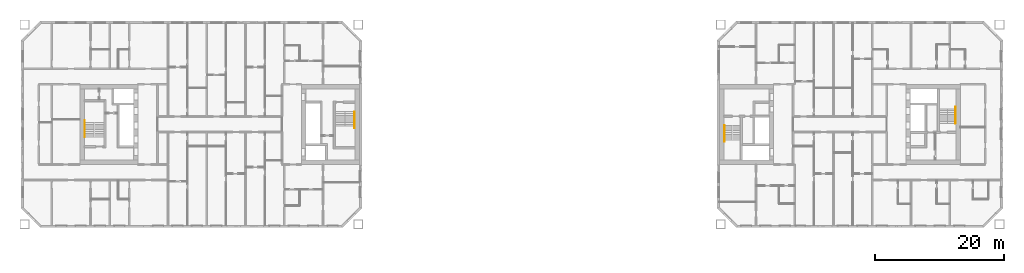
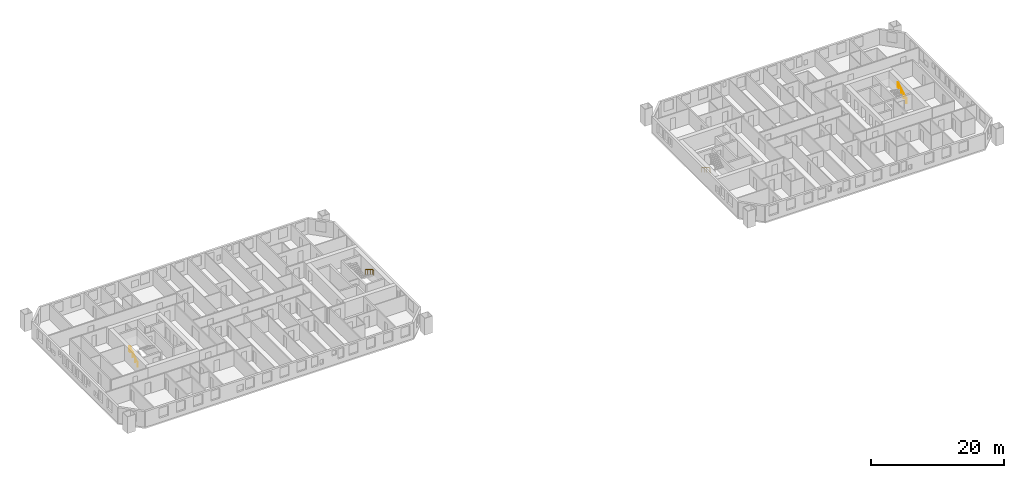
# One storey, part 17 of 17: 4 railings.
"""IFC4 building model written with IfcOpenShell, lengths in metres."""

import ifcopenshell
import ifcopenshell.guid

model = None  # the IFC model being written
_history = None  # IfcOwnerHistory: only IFC2X3 demands one
_inside = {}  # id of a spatial element -> (the spatial element, [elements in it])
_under = {}  # id of a project, library or spatial element -> (it, [spatial elements below it])
_declared = {}  # id of a project -> (the project, [libraries it declares])
_typed = {}  # id of a type object -> (the type object, [elements of that type])
_made_of = {}  # id of a material, layer set ... -> (it, [elements and type objects made of it])


def new_model(schema):
    """Start an empty IFC model of exactly this schema.

    Asked for "IFC4X3", IfcOpenShell would pick the latest addendum, in which some entities
    have other attributes; the version numbers below select the first issue.
    IFC2X3 requires an IfcOwnerHistory on every rooted entity: one is made here for all.
    """
    global model, _history
    if schema == "IFC4X3":
        model = ifcopenshell.file(schema_version=(4, 3, 0, 0))
    else:
        model = ifcopenshell.file(schema=schema)
    _inside.clear()
    _under.clear()
    _declared.clear()
    _typed.clear()
    _made_of.clear()
    _history = None
    if model.schema == "IFC2X3":
        org = make("IfcOrganization", Name="unknown")
        user = make(
            "IfcPersonAndOrganization",
            ThePerson=make("IfcPerson", FamilyName="unknown"),
            TheOrganization=org,
        )
        app = make(
            "IfcApplication",
            ApplicationDeveloper=org,
            Version="unknown",
            ApplicationFullName="unknown",
            ApplicationIdentifier="unknown",
        )
        _history = make(
            "IfcOwnerHistory",
            OwningUser=user,
            OwningApplication=app,
            ChangeAction="ADDED",
            CreationDate=0,
        )
    return model


def make(cls, **values):
    """One entity of the class cls with the attributes given. An attribute that is None is left unset."""
    return model.create_entity(
        cls, **{name: value for name, value in values.items() if value is not None}
    )


def rooted(cls, **values):
    """An entity with a GlobalId (a new one), such as an element, a storey or a relation."""
    return make(cls, GlobalId=ifcopenshell.guid.new(), OwnerHistory=_history, **values)


def si_unit(unit_type, name, prefix=None):
    """IfcSIUnit, for example si_unit("LENGTHUNIT", "METRE", prefix="MILLI")."""
    return make("IfcSIUnit", UnitType=unit_type, Prefix=prefix, Name=name)


def assignment(units):
    """IfcUnitAssignment: the units of a project."""
    return None if units is None else make("IfcUnitAssignment", Units=units)


def point(xyz):
    """IfcCartesianPoint."""
    return None if xyz is None else make("IfcCartesianPoint", Coordinates=xyz)


def direction(xyz):
    """IfcDirection."""
    return None if xyz is None else make("IfcDirection", DirectionRatios=xyz)


def frame(location, z_axis=None, x_axis=None):
    """IfcAxis2Placement3D, a coordinate frame: its origin and axes. An axis left out is left unset."""
    return make(
        "IfcAxis2Placement3D",
        Location=point(location),
        Axis=direction(z_axis),
        RefDirection=direction(x_axis),
    )


def frame_2d(location, x_axis=None):
    """IfcAxis2Placement2D, a coordinate frame in the plane: its origin and x axis."""
    return make(
        "IfcAxis2Placement2D", Location=point(location), RefDirection=direction(x_axis)
    )


def origin():
    """The frame at (0, 0, 0) with its axes left unset."""
    return frame((0.0, 0.0, 0.0))


def origin_2d():
    """The frame at (0, 0) in the plane with its x axis left unset."""
    return frame_2d((0.0, 0.0))


def place(relative_to, where):
    """IfcLocalPlacement: puts the frame where relative to a parent placement (None: the world)."""
    return make(
        "IfcLocalPlacement", PlacementRelTo=relative_to, RelativePlacement=where
    )


def context(
    kind, dimensions, precision=None, world=None, true_north=None, identifier=None
):
    """IfcGeometricRepresentationContext, for example the 3D "Model" context."""
    return make(
        "IfcGeometricRepresentationContext",
        ContextIdentifier=identifier,
        ContextType=kind,
        CoordinateSpaceDimension=dimensions,
        Precision=precision,
        WorldCoordinateSystem=world,
        TrueNorth=true_north,
    )


def subcontext(parent, identifier, kind, view, scale=None):
    """IfcGeometricRepresentationSubContext, for example "Body" below "Model"."""
    return make(
        "IfcGeometricRepresentationSubContext",
        ContextIdentifier=identifier,
        ContextType=kind,
        ParentContext=parent,
        TargetScale=scale,
        TargetView=view,
    )


def project(units=None, contexts=None):
    """IfcProject with its units and contexts."""
    return rooted(
        "IfcProject",
        Name="project",
        RepresentationContexts=contexts,
        UnitsInContext=assignment(units),
    )


def spatial(cls, under=None, at=None, **own):
    """A site, building, storey or space (cls), placed at a placement, below another one or the project."""
    s = rooted(cls, ObjectPlacement=at, **own)
    if under is not None:
        _under.setdefault(under.id(), (under, []))[1].append(s)
    return s


def profile(cls, at=None, kind="AREA", **sizes):
    """A parametric profile (cls). Its sizes go by their IFC names, for example OverallWidth=200.0."""
    return make(cls, ProfileType=kind, Position=at, **sizes)


def circle(**sizes):
    """IfcCircleProfileDef."""
    return profile("IfcCircleProfileDef", **sizes)


def extrude(swept, where, along, depth):
    """IfcExtrudedAreaSolid: the profile swept, set in the frame where, extruded along a direction by depth."""
    return make(
        "IfcExtrudedAreaSolid",
        SweptArea=swept,
        Position=where,
        ExtrudedDirection=direction(along),
        Depth=depth,
    )


def shape(context_of_items, identifier, shape_type, items):
    """IfcShapeRepresentation: the items that make up one representation, for example the "Body"."""
    return make(
        "IfcShapeRepresentation",
        ContextOfItems=context_of_items,
        RepresentationIdentifier=identifier,
        RepresentationType=shape_type,
        Items=items,
    )


def material(Name=None, Category=None):
    """IfcMaterial."""
    return make("IfcMaterial", Name=Name, Category=Category)


def made_of(thing, what):
    """Note that an element or type object is made of a material, layer set ...; save() writes the relation."""
    if what is not None:
        _made_of.setdefault(what.id(), (what, []))[1].append(thing)
    return thing


def type_object(cls, material=None, **own):
    """A type object (cls), such as IfcWallType, which elements share."""
    return made_of(rooted(cls, **own), material)


def element(
    cls,
    number,
    at=None,
    inside=None,
    cuts=None,
    type_object=None,
    material=None,
    context=None,
    identifier="Body",
    shape_type=None,
    held_by="IfcProductDefinitionShape",
    body=None,
    shapes=None,
    **own,
):
    """One element of the class cls, such as IfcWall. Its Tag is "e" and its number.

    at: its placement. inside: the storey or other place that contains it. cuts: it is an
    opening in that element (IfcRelVoidsElement). A single representation is given by context,
    identifier, shape_type and body (its items); several are given by shapes. held_by: the class
    of the entity that holds the representations. save() writes the other relations.
    """
    e = rooted(cls, Tag="e%d" % number, ObjectPlacement=at, **own)
    if body is not None:
        shapes = [shape(context, identifier, shape_type, body)]
    if shapes is not None:
        e.Representation = make(held_by, Representations=shapes)
    if inside is not None:
        _inside.setdefault(inside.id(), (inside, []))[1].append(e)
    if cuts is not None:
        rooted(
            "IfcRelVoidsElement", RelatingBuildingElement=cuts, RelatedOpeningElement=e
        )
    if type_object is not None:
        _typed.setdefault(type_object.id(), (type_object, []))[1].append(e)
    return made_of(e, material)


def aggregate(whole, parts):
    """IfcRelAggregates: a whole, such as a stair, and the parts it consists of."""
    return rooted("IfcRelAggregates", RelatingObject=whole, RelatedObjects=parts)


def save(model, path):
    """Write the relations noted so far, then the file.

    IfcRelAggregates (storeys below a building ...), IfcRelContainedInSpatialStructure (elements
    in a storey), IfcRelDefinesByType, IfcRelAssociatesMaterial and IfcRelDeclares: one each for
    every whole, place, type object, material and project.
    """
    for whole, parts in _under.values():
        aggregate(whole, parts)
    for where, things in _inside.values():
        rooted(
            "IfcRelContainedInSpatialStructure",
            RelatedElements=things,
            RelatingStructure=where,
        )
    for kind, things in _typed.values():
        rooted("IfcRelDefinesByType", RelatedObjects=things, RelatingType=kind)
    for what, things in _made_of.values():
        rooted("IfcRelAssociatesMaterial", RelatedObjects=things, RelatingMaterial=what)
    for by, libraries in _declared.values():
        rooted("IfcRelDeclares", RelatingContext=by, RelatedDefinitions=libraries)
    model.write(path)


model = new_model("IFC4")

# Units and contexts
model_context = context("Model", 3, precision=1e-05, world=origin(), true_north=direction((0.0, 1.0)))
body_context = subcontext(model_context, "Body", "Model", "MODEL_VIEW")
ifc_project = project(units=[si_unit("LENGTHUNIT", "METRE"), si_unit("AREAUNIT", "SQUARE_METRE"), si_unit("VOLUMEUNIT", "CUBIC_METRE"), si_unit("PLANEANGLEUNIT", "RADIAN"), si_unit("MASSUNIT", "GRAM", prefix="KILO")], contexts=[model_context])

# Site, building, storey
site_placement = place(None, origin())
site = spatial("IfcSite", under=ifc_project, at=site_placement, CompositionType="ELEMENT")
building_placement = place(site_placement, origin())
building = spatial("IfcBuilding", under=site, at=building_placement, Name="Tuart Gate Housing", CompositionType="ELEMENT")
storey_placement = place(building_placement, frame((0.0, 0.0, 80.89990234375)))
storey = spatial("IfcBuildingStorey", under=building, at=storey_placement, Name="L22", CompositionType="ELEMENT", Elevation=80.89990234375)

# Railings
ifc_material = material(Name="Stainless steel", Category="steel")
railing_type = type_object("IfcRailingType", Name="Stair handrail 900", PredefinedType="HANDRAIL", material=ifc_material)
railing_1_placement = place(storey_placement, frame((74.8798828125, 71.949951171875, 0.17236328125)))
element("IfcRailing", 1, at=railing_1_placement, inside=storey, type_object=railing_type, Name="Stair handrail SA1.1", PredefinedType="HANDRAIL", context=body_context, shape_type="SweptSolid", body=[
    extrude(circle(Radius=0.02392578125, at=origin_2d()), frame((0.0, 0.0, 0.8759765625), z_axis=(0.0, -0.85178898068, 0.523885037382), x_axis=(1.0, 0.0, 0.0)), (0.0, 0.0, 1.0), 2.629638671875),
    extrude(circle(Radius=0.02392578125, at=origin_2d()), frame((0.0, -2.239990234375, 2.25341796875), z_axis=(0.0, -1.0, 0.0), x_axis=(1.0, 0.0, 0.0)), (0.0, 0.0, 1.0), 0.300048828125),
    extrude(circle(Radius=0.02099609375, at=origin_2d()), origin(), (0.0, 0.0, 1.0), 0.851806640625),
    extrude(circle(Radius=0.02099609375, at=origin_2d()), frame((0.0, -0.74658203125, 0.459228515625)), (0.0, 0.0, 1.0), 0.851806640625),
    extrude(circle(Radius=0.02099609375, at=origin_2d()), frame((0.0, -1.493408203125, 0.91845703125)), (0.0, 0.0, 1.0), 0.851806640625),
    extrude(circle(Radius=0.02099609375, at=origin_2d()), frame((0.0, -2.239990234375, 1.377685546875)), (0.0, 0.0, 1.0), 0.851806640625),
    extrude(circle(Radius=0.02099609375, at=origin_2d()), frame((0.0, -2.5400390625, 1.377685546875)), (0.0, 0.0, 1.0), 0.851806640625),
])
railing_2_placement = place(storey_placement, frame((33.1201171875, 68.050048828125, 0.17236328125)))
element("IfcRailing", 2, at=railing_2_placement, inside=storey, type_object=railing_type, Name="Stair handrail SA2.1", PredefinedType="HANDRAIL", context=body_context, shape_type="SweptSolid", body=[
    extrude(circle(Radius=0.02392578125, at=origin_2d()), frame((0.0, 0.0, 0.8759765625), z_axis=(0.0, 0.85178898068, 0.523885037382), x_axis=(-1.0, 0.0, 0.0)), (0.0, 0.0, 1.0), 2.629638671875),
    extrude(circle(Radius=0.02392578125, at=origin_2d()), frame((0.0, 2.239990234375, 2.25341796875), z_axis=(0.0, 1.0, 0.0), x_axis=(-1.0, 0.0, 0.0)), (0.0, 0.0, 1.0), 0.300048828125),
    extrude(circle(Radius=0.02099609375, at=origin_2d()), origin(), (0.0, 0.0, 1.0), 0.851806640625),
    extrude(circle(Radius=0.02099609375, at=origin_2d()), frame((0.0, 0.74658203125, 0.459228515625)), (0.0, 0.0, 1.0), 0.851806640625),
    extrude(circle(Radius=0.02099609375, at=origin_2d()), frame((0.0, 1.493408203125, 0.91845703125)), (0.0, 0.0, 1.0), 0.851806640625),
    extrude(circle(Radius=0.02099609375, at=origin_2d()), frame((0.0, 2.239990234375, 1.377685546875)), (0.0, 0.0, 1.0), 0.851806640625),
    extrude(circle(Radius=0.02099609375, at=origin_2d()), frame((0.0, 2.5400390625, 1.377685546875)), (0.0, 0.0, 1.0), 0.851806640625),
])
railing_3_placement = place(storey_placement, frame((132.1201171875, 69.85009765625, 0.17236328125)))
element("IfcRailing", 3, at=railing_3_placement, inside=storey, type_object=railing_type, Name="Stair handrail SB1.1", PredefinedType="HANDRAIL", context=body_context, shape_type="SweptSolid", body=[
    extrude(circle(Radius=0.02392578125, at=origin_2d()), frame((0.0, 0.0, 0.8759765625), z_axis=(0.0, -0.85178898068, 0.523885037382), x_axis=(1.0, 0.0, 0.0)), (0.0, 0.0, 1.0), 2.629638671875),
    extrude(circle(Radius=0.02392578125, at=origin_2d()), frame((0.0, -2.239990234375, 2.25341796875), z_axis=(0.0, -1.0, 0.0), x_axis=(1.0, 0.0, 0.0)), (0.0, 0.0, 1.0), 0.300048828125),
    extrude(circle(Radius=0.02099609375, at=origin_2d()), origin(), (0.0, 0.0, 1.0), 0.851806640625),
    extrude(circle(Radius=0.02099609375, at=origin_2d()), frame((0.0, -0.74658203125, 0.459228515625)), (0.0, 0.0, 1.0), 0.851806640625),
    extrude(circle(Radius=0.02099609375, at=origin_2d()), frame((0.0, -1.493408203125, 0.91845703125)), (0.0, 0.0, 1.0), 0.851806640625),
    extrude(circle(Radius=0.02099609375, at=origin_2d()), frame((0.0, -2.239990234375, 1.377685546875)), (0.0, 0.0, 1.0), 0.851806640625),
    extrude(circle(Radius=0.02099609375, at=origin_2d()), frame((0.0, -2.5400390625, 1.377685546875)), (0.0, 0.0, 1.0), 0.851806640625),
])
railing_4_placement = place(storey_placement, frame((167.8798828125, 70.14990234375, 0.17236328125)))
element("IfcRailing", 4, at=railing_4_placement, inside=storey, type_object=railing_type, Name="Stair handrail SB2.1", PredefinedType="HANDRAIL", context=body_context, shape_type="SweptSolid", body=[
    extrude(circle(Radius=0.02392578125, at=origin_2d()), frame((0.0, 0.0, 0.8759765625), z_axis=(0.0, 0.85178898068, 0.523885037382), x_axis=(-1.0, 0.0, 0.0)), (0.0, 0.0, 1.0), 2.629638671875),
    extrude(circle(Radius=0.02392578125, at=origin_2d()), frame((0.0, 2.239990234375, 2.25341796875), z_axis=(0.0, 1.0, 0.0), x_axis=(-1.0, 0.0, 0.0)), (0.0, 0.0, 1.0), 0.300048828125),
    extrude(circle(Radius=0.02099609375, at=origin_2d()), origin(), (0.0, 0.0, 1.0), 0.851806640625),
    extrude(circle(Radius=0.02099609375, at=origin_2d()), frame((0.0, 0.74658203125, 0.459228515625)), (0.0, 0.0, 1.0), 0.851806640625),
    extrude(circle(Radius=0.02099609375, at=origin_2d()), frame((0.0, 1.493408203125, 0.91845703125)), (0.0, 0.0, 1.0), 0.851806640625),
    extrude(circle(Radius=0.02099609375, at=origin_2d()), frame((0.0, 2.239990234375, 1.377685546875)), (0.0, 0.0, 1.0), 0.851806640625),
    extrude(circle(Radius=0.02099609375, at=origin_2d()), frame((0.0, 2.5400390625, 1.377685546875)), (0.0, 0.0, 1.0), 0.851806640625),
])

save(model, "model.ifc")
